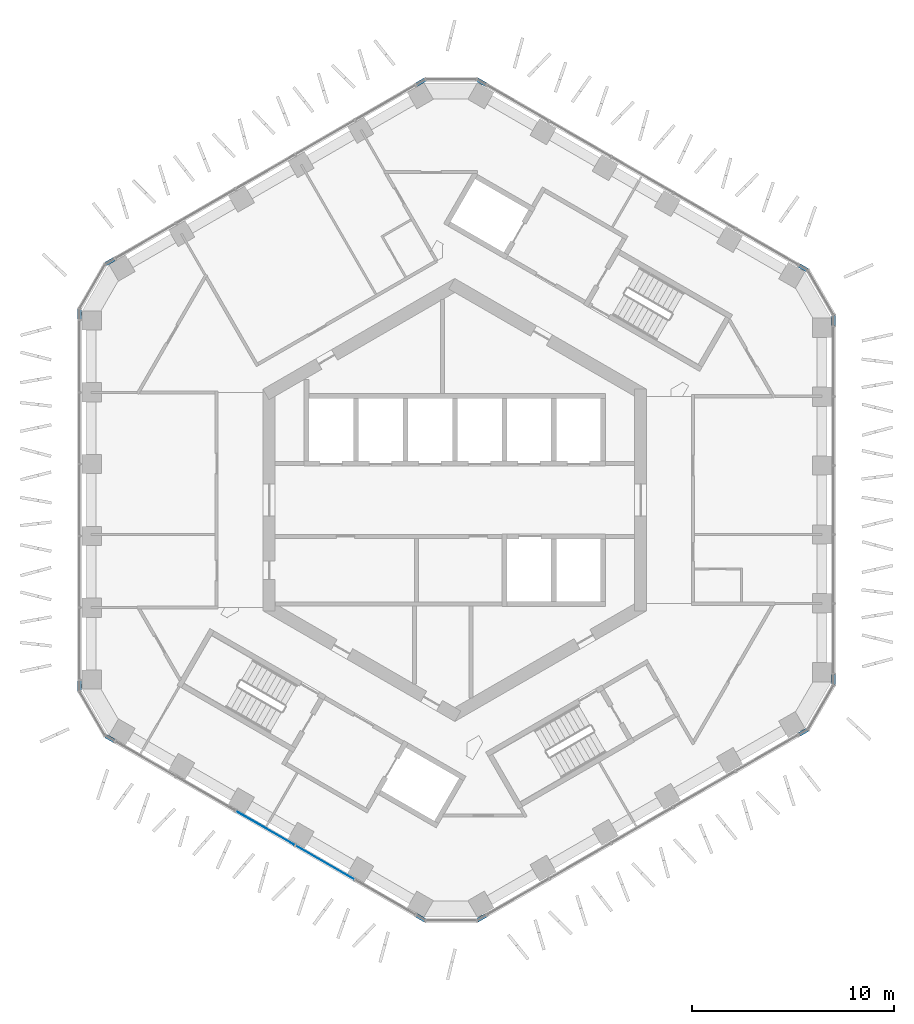
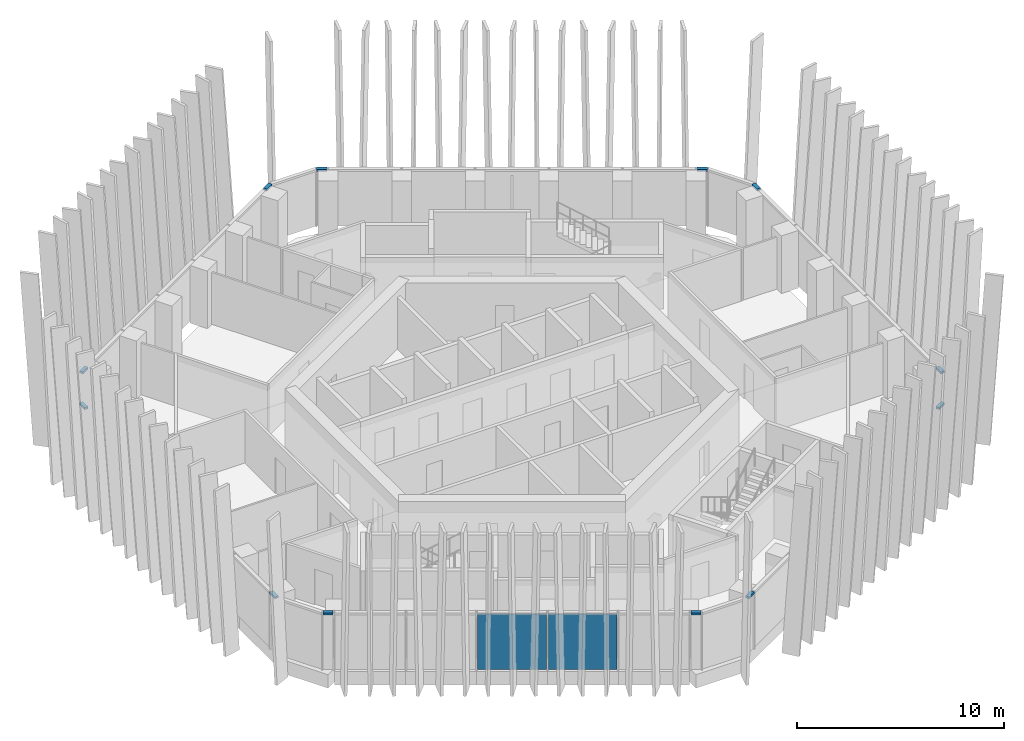
# One storey, part 8 of 20: 12 members, 2 plates, 7 elements without a shape of their own.
"""IFC4 building model written with IfcOpenShell, lengths in metres."""

from ifc_helpers import new_model, si_unit, direction, frame, origin, origin_2d, place, context, subcontext, project, spatial, rectangle, extrude, material, layer, layer_set, material_profile, profile_set, type_object, element, aggregate, save


model = new_model("IFC4")

# Units and contexts
model_context = context("Model", 3, precision=1e-05, world=origin(), true_north=direction((0.0, 1.0)))
body_context = subcontext(model_context, "Body", "Model", "MODEL_VIEW")
ifc_project = project(units=[si_unit("LENGTHUNIT", "METRE"), si_unit("AREAUNIT", "SQUARE_METRE"), si_unit("VOLUMEUNIT", "CUBIC_METRE"), si_unit("PLANEANGLEUNIT", "RADIAN"), si_unit("MASSUNIT", "GRAM", prefix="KILO")], contexts=[model_context])

# Site, building, storey
site_placement = place(None, origin())
site = spatial("IfcSite", under=ifc_project, at=site_placement, CompositionType="ELEMENT")
building_placement = place(site_placement, origin())
building = spatial("IfcBuilding", under=site, at=building_placement, Name="Ayvan Gate Tower", CompositionType="ELEMENT")
storey_placement = place(building_placement, frame((0.0, 0.0, 162.89990234375)))
storey = spatial("IfcBuildingStorey", under=building, at=storey_placement, Name="L43", CompositionType="ELEMENT", Elevation=162.89990234375)

# Curtain wall, members
ifc_material_1 = material(Name="Bronze anodised aluminium", Category="aluminium")
ifc_layer_1 = layer(ifc_material_1, 0.199951171875)
ifc_layer_set_1 = layer_set([ifc_layer_1], Name="Bronze anodised aluminium")
curtain_wall_type_1 = type_object("IfcCurtainWallType", Name="Stick curtain wall CW-6", PredefinedType="NOTDEFINED", material=ifc_layer_set_1)
curtain_wall_1_placement = place(storey_placement, origin())
curtain_wall_1 = element("IfcCurtainWall", 1, at=curtain_wall_1_placement, inside=storey, type_object=curtain_wall_type_1, Name="Stick curtain wall CW-6 L43", PredefinedType="NOTDEFINED")
ifc_material_profile = material_profile(ifc_material_1, rectangle(XDim=0.199951171875, YDim=0.1201171875, at=origin_2d()), Name="Stick curtain wall CW-6 transom 200 x 120")
ifc_profile_set = profile_set([ifc_material_profile], Name="Bronze anodised aluminium")
member_type = type_object("IfcMemberType", Name="Stick curtain wall CW-6 transom 200 x 120", PredefinedType="USERDEFINED", material=ifc_profile_set)
member_1_placement = place(storey_placement, frame((-16.861572265625, 11.928955078125, 3.340087890625), z_axis=(-0.866071776036, -0.499919672301, 0.0), x_axis=(0.499919672301, -0.866071776036, 0.0)))
member_1 = element("IfcMember", 2, at=member_1_placement, type_object=member_type, Name="CW-6 transom 1", ObjectType="TRANSOM", PredefinedType="USERDEFINED", context=body_context, shape_type="SweptSolid", body=[
    extrude(rectangle(XDim=0.199951171875, YDim=0.1201171875, at=origin_2d()), origin(), (0.0, 0.0, 1.0), 0.5),
])
member_2_placement = place(storey_placement, frame((-18.58349609375, 9.446533203125, 3.340087890625), z_axis=(0.0, -1.0, 0.0), x_axis=(1.0, 0.0, 0.0)))
member_2 = element("IfcMember", 3, at=member_2_placement, type_object=member_type, Name="CW-6 transom 3", ObjectType="TRANSOM", PredefinedType="USERDEFINED", context=body_context, shape_type="SweptSolid", body=[
    extrude(rectangle(XDim=0.199951171875, YDim=0.1201171875, at=origin_2d()), origin(), (0.0, 0.0, 1.0), 0.5),
])
aggregate(curtain_wall_1, [member_1, member_2])

curtain_wall_2_placement = place(storey_placement, origin())
curtain_wall_2 = element("IfcCurtainWall", 4, at=curtain_wall_2_placement, inside=storey, type_object=curtain_wall_type_1, Name="Stick curtain wall CW-6 L43", PredefinedType="NOTDEFINED")
member_3_placement = place(storey_placement, frame((-18.58349609375, -8.946533203125, 3.340087890625), z_axis=(0.0, -1.0, 0.0), x_axis=(1.0, 0.0, 0.0)))
member_3 = element("IfcMember", 5, at=member_3_placement, type_object=member_type, Name="CW-6 transom 1", ObjectType="TRANSOM", PredefinedType="USERDEFINED", context=body_context, shape_type="SweptSolid", body=[
    extrude(rectangle(XDim=0.199951171875, YDim=0.1201171875, at=origin_2d()), origin(), (0.0, 0.0, 1.0), 0.5),
])
member_4_placement = place(storey_placement, frame((-17.294677734375, -11.678955078125, 3.340087890625), z_axis=(0.866071776036, -0.499919672301, 0.0), x_axis=(0.499919672301, 0.866071776036, 0.0)))
member_4 = element("IfcMember", 6, at=member_4_placement, type_object=member_type, Name="CW-6 transom 3", ObjectType="TRANSOM", PredefinedType="USERDEFINED", context=body_context, shape_type="SweptSolid", body=[
    extrude(rectangle(XDim=0.199951171875, YDim=0.1201171875, at=origin_2d()), origin(), (0.0, 0.0, 1.0), 0.5),
])
aggregate(curtain_wall_2, [member_3, member_4])

curtain_wall_3_placement = place(storey_placement, origin())
curtain_wall_3 = element("IfcCurtainWall", 7, at=curtain_wall_3_placement, inside=storey, type_object=curtain_wall_type_1, Name="Stick curtain wall CW-6 L43", PredefinedType="NOTDEFINED")
member_5_placement = place(storey_placement, frame((-1.89990234375, -20.56689453125, 3.340087890625), z_axis=(0.865949687125, -0.500131122175, 0.0), x_axis=(0.500131122175, 0.865949687125, 0.0)))
member_5 = element("IfcMember", 8, at=member_5_placement, type_object=member_type, Name="CW-6 transom 1", ObjectType="TRANSOM", PredefinedType="USERDEFINED", context=body_context, shape_type="SweptSolid", body=[
    extrude(rectangle(XDim=0.199951171875, YDim=0.1201171875, at=origin_2d()), origin(), (0.0, 0.0, 1.0), 0.499755859375),
])
member_6_placement = place(storey_placement, frame((1.11083984375, -20.81689453125, 3.340087890625), z_axis=(0.866071776036, 0.499919672301, 0.0), x_axis=(-0.499919672301, 0.866071776036, 0.0)))
member_6 = element("IfcMember", 9, at=member_6_placement, type_object=member_type, Name="CW-6 transom 3", ObjectType="TRANSOM", PredefinedType="USERDEFINED", context=body_context, shape_type="SweptSolid", body=[
    extrude(rectangle(XDim=0.199951171875, YDim=0.1201171875, at=origin_2d()), origin(), (0.0, 0.0, 1.0), 0.5),
])
aggregate(curtain_wall_3, [member_5, member_6])

curtain_wall_4_placement = place(storey_placement, origin())
curtain_wall_4 = element("IfcCurtainWall", 10, at=curtain_wall_4_placement, inside=storey, type_object=curtain_wall_type_1, Name="Stick curtain wall CW-6 L43", PredefinedType="NOTDEFINED")
member_7_placement = place(storey_placement, frame((17.03955078125, -11.62060546875, 3.340087890625), z_axis=(0.866071776036, 0.499919672301, 0.0), x_axis=(-0.499919672301, 0.866071776036, 0.0)))
member_7 = element("IfcMember", 11, at=member_7_placement, type_object=member_type, Name="CW-6 transom 1", ObjectType="TRANSOM", PredefinedType="USERDEFINED", context=body_context, shape_type="SweptSolid", body=[
    extrude(rectangle(XDim=0.199951171875, YDim=0.1201171875, at=origin_2d()), origin(), (0.0, 0.0, 1.0), 0.5),
])
member_8_placement = place(storey_placement, frame((18.761474609375, -9.13818359375, 3.340087890625), z_axis=(0.0, 1.0, 0.0), x_axis=(-1.0, 0.0, 0.0)))
member_8 = element("IfcMember", 12, at=member_8_placement, type_object=member_type, Name="CW-6 transom 3", ObjectType="TRANSOM", PredefinedType="USERDEFINED", context=body_context, shape_type="SweptSolid", body=[
    extrude(rectangle(XDim=0.199951171875, YDim=0.1201171875, at=origin_2d()), origin(), (0.0, 0.0, 1.0), 0.5),
])
aggregate(curtain_wall_4, [member_7, member_8])

curtain_wall_5_placement = place(storey_placement, origin())
curtain_wall_5 = element("IfcCurtainWall", 13, at=curtain_wall_5_placement, inside=storey, type_object=curtain_wall_type_1, Name="Stick curtain wall CW-6 L43", PredefinedType="NOTDEFINED")
member_9_placement = place(storey_placement, frame((18.761474609375, 8.63818359375, 3.340087890625), z_axis=(0.0, 1.0, 0.0), x_axis=(-1.0, 0.0, 0.0)))
member_9 = element("IfcMember", 14, at=member_9_placement, type_object=member_type, Name="CW-6 transom 1", ObjectType="TRANSOM", PredefinedType="USERDEFINED", context=body_context, shape_type="SweptSolid", body=[
    extrude(rectangle(XDim=0.199951171875, YDim=0.1201171875, at=origin_2d()), origin(), (0.0, 0.0, 1.0), 0.5),
])
member_10_placement = place(storey_placement, frame((17.47265625, 11.37060546875, 3.340087890625), z_axis=(-0.866071776036, 0.499919672301, 0.0), x_axis=(-0.499919672301, -0.866071776036, 0.0)))
member_10 = element("IfcMember", 15, at=member_10_placement, type_object=member_type, Name="CW-6 transom 3", ObjectType="TRANSOM", PredefinedType="USERDEFINED", context=body_context, shape_type="SweptSolid", body=[
    extrude(rectangle(XDim=0.199951171875, YDim=0.1201171875, at=origin_2d()), origin(), (0.0, 0.0, 1.0), 0.5),
])
aggregate(curtain_wall_5, [member_9, member_10])

curtain_wall_6_placement = place(storey_placement, origin())
curtain_wall_6 = element("IfcCurtainWall", 16, at=curtain_wall_6_placement, inside=storey, type_object=curtain_wall_type_1, Name="Stick curtain wall CW-6 L43", PredefinedType="NOTDEFINED")
member_11_placement = place(storey_placement, frame((1.5439453125, 20.56689453125, 3.340087890625), z_axis=(-0.866071776036, 0.499919672301, 0.0), x_axis=(-0.499919672301, -0.866071776036, 0.0)))
member_11 = element("IfcMember", 17, at=member_11_placement, type_object=member_type, Name="CW-6 transom 1", ObjectType="TRANSOM", PredefinedType="USERDEFINED", context=body_context, shape_type="SweptSolid", body=[
    extrude(rectangle(XDim=0.199951171875, YDim=0.1201171875, at=origin_2d()), origin(), (0.0, 0.0, 1.0), 0.5),
])
member_12_placement = place(storey_placement, frame((-1.467041015625, 20.81689453125, 3.340087890625), z_axis=(-0.865949687125, -0.500131122175, 0.0), x_axis=(0.500131122175, -0.865949687125, 0.0)))
member_12 = element("IfcMember", 18, at=member_12_placement, type_object=member_type, Name="CW-6 transom 3", ObjectType="TRANSOM", PredefinedType="USERDEFINED", context=body_context, shape_type="SweptSolid", body=[
    extrude(rectangle(XDim=0.199951171875, YDim=0.1201171875, at=origin_2d()), origin(), (0.0, 0.0, 1.0), 0.499755859375),
])
aggregate(curtain_wall_6, [member_11, member_12])

# Curtain wall, plates
ifc_layer_2 = layer(ifc_material_1, 0.199951171875)
ifc_layer_set_2 = layer_set([ifc_layer_2], Name="Bronze anodised aluminium")
curtain_wall_type_2 = type_object("IfcCurtainWallType", Name="Stick curtain wall CW-2", PredefinedType="NOTDEFINED", material=ifc_layer_set_2)
curtain_wall_7_placement = place(storey_placement, origin())
curtain_wall_7 = element("IfcCurtainWall", 19, at=curtain_wall_7_placement, inside=storey, type_object=curtain_wall_type_2, Name="Stick curtain wall CW-2 L43", PredefinedType="NOTDEFINED")
ifc_material_2 = material(Name="Clear low-iron laminated glass", Category="glass")
ifc_layer_3 = layer(ifc_material_2, 0.028076171875)
ifc_layer_set_3 = layer_set([ifc_layer_3], Name="Clear low-iron laminated glass")
plate_type = type_object("IfcPlateType", Name="Stick curtain wall CW-2 glass panel", PredefinedType="CURTAIN_PANEL", material=ifc_layer_set_3)
plate_1_placement = place(storey_placement, frame((-9.380859375, -16.248046875, 0.0), z_axis=(0.0, 0.0, 1.0), x_axis=(0.866025403784, -0.5, 0.0)))
plate_1 = element("IfcPlate", 20, at=plate_1_placement, type_object=plate_type, Name="CW-2 glass panel 3", PredefinedType="CURTAIN_PANEL", context=body_context, shape_type="SweptSolid", body=[
    extrude(rectangle(XDim=3.342041015625, YDim=0.028076171875, at=origin_2d()), origin(), (0.0, 0.0, 1.0), 3.280029296875),
])
plate_2_placement = place(storey_placement, frame((-6.42626953125, -17.95361328125, 0.0), z_axis=(0.0, 0.0, 1.0), x_axis=(0.866025403784, -0.5, 0.0)))
plate_2 = element("IfcPlate", 21, at=plate_2_placement, type_object=plate_type, Name="CW-2 glass panel 4", PredefinedType="CURTAIN_PANEL", context=body_context, shape_type="SweptSolid", body=[
    extrude(rectangle(XDim=3.341064453125, YDim=0.028076171875, at=origin_2d()), origin(), (0.0, 0.0, 1.0), 3.280029296875),
])
aggregate(curtain_wall_7, [plate_1, plate_2])

save(model, "model.ifc")
